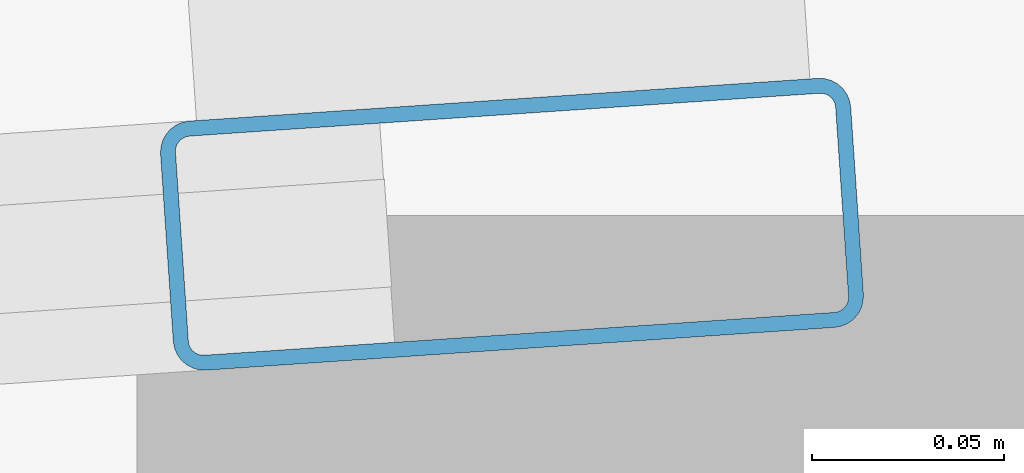
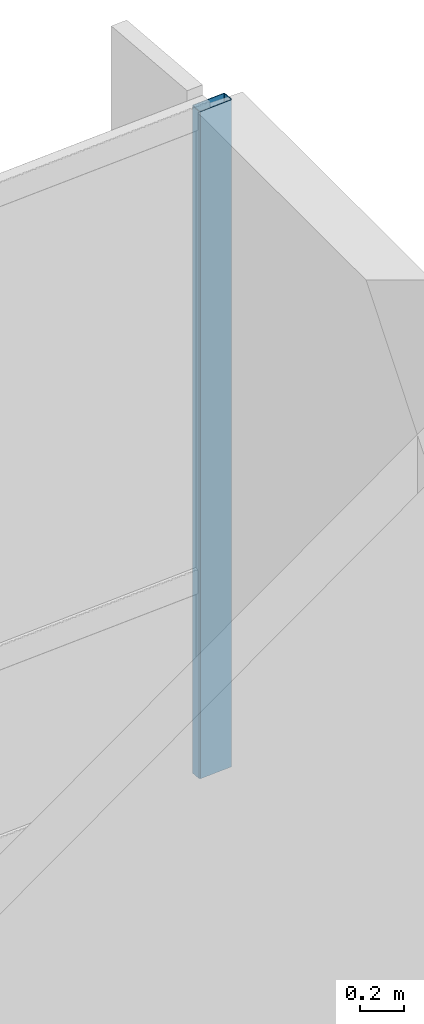
# One storey, part 9 of 17: 1 member, 1 element without a shape of its own.
"""IFC4 building model written with IfcOpenShell, lengths in metres."""

from ifc_helpers import new_model, si_unit, direction, frame, origin, origin_2d, place, context, subcontext, project, spatial, hollow_rectangle, extrude, material, layer, layer_set, material_profile, profile_set, type_object, element, aggregate, save


model = new_model("IFC4")

# Units and contexts
model_context = context("Model", 3, precision=1e-05, world=origin(), true_north=direction((0.0, 1.0)))
body_context = subcontext(model_context, "Body", "Model", "MODEL_VIEW")
ifc_project = project(units=[si_unit("LENGTHUNIT", "METRE"), si_unit("AREAUNIT", "SQUARE_METRE"), si_unit("VOLUMEUNIT", "CUBIC_METRE"), si_unit("PLANEANGLEUNIT", "RADIAN"), si_unit("MASSUNIT", "GRAM", prefix="KILO")], contexts=[model_context])

# Site, building, storey
site_placement = place(None, origin())
site = spatial("IfcSite", under=ifc_project, at=site_placement, CompositionType="ELEMENT")
building_placement = place(site_placement, origin())
building = spatial("IfcBuilding", under=site, at=building_placement, Name="Varnakote Quay Hospital", CompositionType="ELEMENT")
storey_placement = place(building_placement, frame((0.0, 0.0, 227.64990234375)))
storey = spatial("IfcBuildingStorey", under=building, at=storey_placement, Name="L56", CompositionType="ELEMENT", Elevation=227.64990234375)

# Curtain wall, member
ifc_material_1 = material(Name="Anodised aluminium 6063-T6 Bronze", Category="aluminium")
ifc_layer = layer(ifc_material_1, 0.219970703125)
ifc_layer_set = layer_set([ifc_layer], Name="Anodised aluminium 6063-T6 Bronze")
curtain_wall_type = type_object("IfcCurtainWallType", Name="CW-SYS-4", PredefinedType="NOTDEFINED", material=ifc_layer_set)
curtain_wall_placement = place(storey_placement, origin())
curtain_wall = element("IfcCurtainWall", 1, at=curtain_wall_placement, inside=storey, type_object=curtain_wall_type, Name="L56 Unitised Bronze Curtain Wall 2", PredefinedType="NOTDEFINED")
ifc_material_2 = material(Name="Anodised aluminium 6063-T6 Bronze", Category="aluminium")
ifc_material_profile = material_profile(ifc_material_2, hollow_rectangle(XDim=0.06494140625, YDim=0.179931640625, WallThickness=0.00390625, InnerFilletRadius=0.00390625, OuterFilletRadius=0.008056640625, at=origin_2d()), Name="CW-MULL-180x65")
ifc_profile_set = profile_set([ifc_material_profile], Name="Anodised aluminium 6063-T6 Bronze")
member_type = type_object("IfcMemberType", Name="CW-MULL-180x65", PredefinedType="MULLION", material=ifc_profile_set)
member_placement = place(storey_placement, frame((48.507568359375, 31.626708984375, 0.0), z_axis=(0.0, 0.0, 1.0), x_axis=(0.067841851077, -0.997696087615, 0.0)))
member = element("IfcMember", 2, at=member_placement, type_object=member_type, Name="-4-L56-2 mullion 1", PredefinedType="MULLION", context=body_context, shape_type="SweptSolid", body=[
    extrude(hollow_rectangle(XDim=0.06494140625, YDim=0.179931640625, WallThickness=0.00390625, InnerFilletRadius=0.00390625, OuterFilletRadius=0.008056640625, at=origin_2d()), origin(), (0.0, 0.0, 1.0), 3.710205078125),
])
aggregate(curtain_wall, [member])

save(model, "model.ifc")
